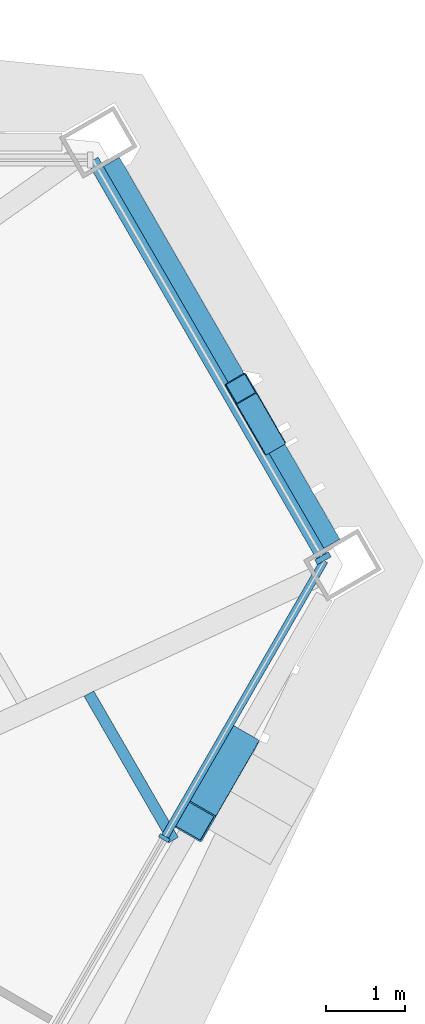
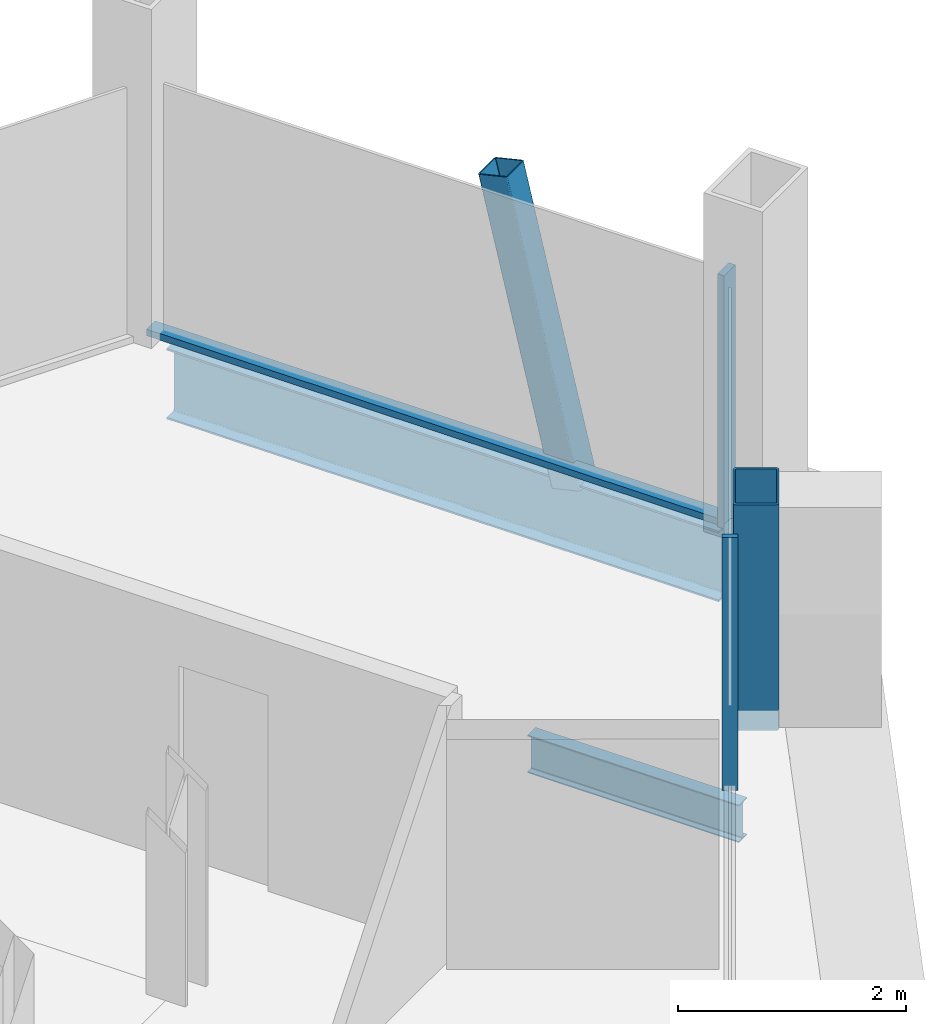
# One storey, part 9 of 16: 6 members, 2 beams, 2 elements without a shape of their own.
"""IFC4 building model written with IfcOpenShell, lengths in metres."""

import ifcopenshell
import ifcopenshell.guid

model = None  # the IFC model being written
_history = None  # IfcOwnerHistory: only IFC2X3 demands one
_inside = {}  # id of a spatial element -> (the spatial element, [elements in it])
_under = {}  # id of a project, library or spatial element -> (it, [spatial elements below it])
_declared = {}  # id of a project -> (the project, [libraries it declares])
_typed = {}  # id of a type object -> (the type object, [elements of that type])
_made_of = {}  # id of a material, layer set ... -> (it, [elements and type objects made of it])


def new_model(schema):
    """Start an empty IFC model of exactly this schema.

    Asked for "IFC4X3", IfcOpenShell would pick the latest addendum, in which some entities
    have other attributes; the version numbers below select the first issue.
    IFC2X3 requires an IfcOwnerHistory on every rooted entity: one is made here for all.
    """
    global model, _history
    if schema == "IFC4X3":
        model = ifcopenshell.file(schema_version=(4, 3, 0, 0))
    else:
        model = ifcopenshell.file(schema=schema)
    _inside.clear()
    _under.clear()
    _declared.clear()
    _typed.clear()
    _made_of.clear()
    _history = None
    if model.schema == "IFC2X3":
        org = make("IfcOrganization", Name="unknown")
        user = make(
            "IfcPersonAndOrganization",
            ThePerson=make("IfcPerson", FamilyName="unknown"),
            TheOrganization=org,
        )
        app = make(
            "IfcApplication",
            ApplicationDeveloper=org,
            Version="unknown",
            ApplicationFullName="unknown",
            ApplicationIdentifier="unknown",
        )
        _history = make(
            "IfcOwnerHistory",
            OwningUser=user,
            OwningApplication=app,
            ChangeAction="ADDED",
            CreationDate=0,
        )
    return model


def make(cls, **values):
    """One entity of the class cls with the attributes given. An attribute that is None is left unset."""
    return model.create_entity(
        cls, **{name: value for name, value in values.items() if value is not None}
    )


def rooted(cls, **values):
    """An entity with a GlobalId (a new one), such as an element, a storey or a relation."""
    return make(cls, GlobalId=ifcopenshell.guid.new(), OwnerHistory=_history, **values)


def si_unit(unit_type, name, prefix=None):
    """IfcSIUnit, for example si_unit("LENGTHUNIT", "METRE", prefix="MILLI")."""
    return make("IfcSIUnit", UnitType=unit_type, Prefix=prefix, Name=name)


def assignment(units):
    """IfcUnitAssignment: the units of a project."""
    return None if units is None else make("IfcUnitAssignment", Units=units)


def point(xyz):
    """IfcCartesianPoint."""
    return None if xyz is None else make("IfcCartesianPoint", Coordinates=xyz)


def direction(xyz):
    """IfcDirection."""
    return None if xyz is None else make("IfcDirection", DirectionRatios=xyz)


def frame(location, z_axis=None, x_axis=None):
    """IfcAxis2Placement3D, a coordinate frame: its origin and axes. An axis left out is left unset."""
    return make(
        "IfcAxis2Placement3D",
        Location=point(location),
        Axis=direction(z_axis),
        RefDirection=direction(x_axis),
    )


def frame_2d(location, x_axis=None):
    """IfcAxis2Placement2D, a coordinate frame in the plane: its origin and x axis."""
    return make(
        "IfcAxis2Placement2D", Location=point(location), RefDirection=direction(x_axis)
    )


def origin():
    """The frame at (0, 0, 0) with its axes left unset."""
    return frame((0.0, 0.0, 0.0))


def origin_2d():
    """The frame at (0, 0) in the plane with its x axis left unset."""
    return frame_2d((0.0, 0.0))


def place(relative_to, where):
    """IfcLocalPlacement: puts the frame where relative to a parent placement (None: the world)."""
    return make(
        "IfcLocalPlacement", PlacementRelTo=relative_to, RelativePlacement=where
    )


def context(
    kind, dimensions, precision=None, world=None, true_north=None, identifier=None
):
    """IfcGeometricRepresentationContext, for example the 3D "Model" context."""
    return make(
        "IfcGeometricRepresentationContext",
        ContextIdentifier=identifier,
        ContextType=kind,
        CoordinateSpaceDimension=dimensions,
        Precision=precision,
        WorldCoordinateSystem=world,
        TrueNorth=true_north,
    )


def subcontext(parent, identifier, kind, view, scale=None):
    """IfcGeometricRepresentationSubContext, for example "Body" below "Model"."""
    return make(
        "IfcGeometricRepresentationSubContext",
        ContextIdentifier=identifier,
        ContextType=kind,
        ParentContext=parent,
        TargetScale=scale,
        TargetView=view,
    )


def project(units=None, contexts=None):
    """IfcProject with its units and contexts."""
    return rooted(
        "IfcProject",
        Name="project",
        RepresentationContexts=contexts,
        UnitsInContext=assignment(units),
    )


def spatial(cls, under=None, at=None, **own):
    """A site, building, storey or space (cls), placed at a placement, below another one or the project."""
    s = rooted(cls, ObjectPlacement=at, **own)
    if under is not None:
        _under.setdefault(under.id(), (under, []))[1].append(s)
    return s


def profile(cls, at=None, kind="AREA", **sizes):
    """A parametric profile (cls). Its sizes go by their IFC names, for example OverallWidth=200.0."""
    return make(cls, ProfileType=kind, Position=at, **sizes)


def rectangle(**sizes):
    """IfcRectangleProfileDef."""
    return profile("IfcRectangleProfileDef", **sizes)


def hollow_rectangle(**sizes):
    """IfcRectangleHollowProfileDef."""
    return profile("IfcRectangleHollowProfileDef", **sizes)


def i_section(**sizes):
    """IfcIShapeProfileDef."""
    return profile("IfcIShapeProfileDef", **sizes)


def extrude(swept, where, along, depth):
    """IfcExtrudedAreaSolid: the profile swept, set in the frame where, extruded along a direction by depth."""
    return make(
        "IfcExtrudedAreaSolid",
        SweptArea=swept,
        Position=where,
        ExtrudedDirection=direction(along),
        Depth=depth,
    )


def shape(context_of_items, identifier, shape_type, items):
    """IfcShapeRepresentation: the items that make up one representation, for example the "Body"."""
    return make(
        "IfcShapeRepresentation",
        ContextOfItems=context_of_items,
        RepresentationIdentifier=identifier,
        RepresentationType=shape_type,
        Items=items,
    )


def material(Name=None, Category=None):
    """IfcMaterial."""
    return make("IfcMaterial", Name=Name, Category=Category)


def material_profile(
    of_material, cross_section, Name=None, Category=None, Priority=None
):
    """IfcMaterialProfile: a cross section and its material."""
    return make(
        "IfcMaterialProfile",
        Name=Name,
        Material=of_material,
        Profile=cross_section,
        Priority=Priority,
        Category=Category,
    )


def profile_set(profiles, Name=None, composite=None):
    """IfcMaterialProfileSet."""
    return make(
        "IfcMaterialProfileSet",
        Name=Name,
        MaterialProfiles=profiles,
        CompositeProfile=composite,
    )


def made_of(thing, what):
    """Note that an element or type object is made of a material, layer set ...; save() writes the relation."""
    if what is not None:
        _made_of.setdefault(what.id(), (what, []))[1].append(thing)
    return thing


def type_object(cls, material=None, **own):
    """A type object (cls), such as IfcWallType, which elements share."""
    return made_of(rooted(cls, **own), material)


def element(
    cls,
    number,
    at=None,
    inside=None,
    cuts=None,
    type_object=None,
    material=None,
    context=None,
    identifier="Body",
    shape_type=None,
    held_by="IfcProductDefinitionShape",
    body=None,
    shapes=None,
    **own,
):
    """One element of the class cls, such as IfcWall. Its Tag is "e" and its number.

    at: its placement. inside: the storey or other place that contains it. cuts: it is an
    opening in that element (IfcRelVoidsElement). A single representation is given by context,
    identifier, shape_type and body (its items); several are given by shapes. held_by: the class
    of the entity that holds the representations. save() writes the other relations.
    """
    e = rooted(cls, Tag="e%d" % number, ObjectPlacement=at, **own)
    if body is not None:
        shapes = [shape(context, identifier, shape_type, body)]
    if shapes is not None:
        e.Representation = make(held_by, Representations=shapes)
    if inside is not None:
        _inside.setdefault(inside.id(), (inside, []))[1].append(e)
    if cuts is not None:
        rooted(
            "IfcRelVoidsElement", RelatingBuildingElement=cuts, RelatedOpeningElement=e
        )
    if type_object is not None:
        _typed.setdefault(type_object.id(), (type_object, []))[1].append(e)
    return made_of(e, material)


def aggregate(whole, parts):
    """IfcRelAggregates: a whole, such as a stair, and the parts it consists of."""
    return rooted("IfcRelAggregates", RelatingObject=whole, RelatedObjects=parts)


def save(model, path):
    """Write the relations noted so far, then the file.

    IfcRelAggregates (storeys below a building ...), IfcRelContainedInSpatialStructure (elements
    in a storey), IfcRelDefinesByType, IfcRelAssociatesMaterial and IfcRelDeclares: one each for
    every whole, place, type object, material and project.
    """
    for whole, parts in _under.values():
        aggregate(whole, parts)
    for where, things in _inside.values():
        rooted(
            "IfcRelContainedInSpatialStructure",
            RelatedElements=things,
            RelatingStructure=where,
        )
    for kind, things in _typed.values():
        rooted("IfcRelDefinesByType", RelatedObjects=things, RelatingType=kind)
    for what, things in _made_of.values():
        rooted("IfcRelAssociatesMaterial", RelatedObjects=things, RelatingMaterial=what)
    for by, libraries in _declared.values():
        rooted("IfcRelDeclares", RelatingContext=by, RelatedDefinitions=libraries)
    model.write(path)


model = new_model("IFC4")

# Units and contexts
model_context = context("Model", 3, precision=1e-05, world=origin(), true_north=direction((0.0, 1.0)))
body_context = subcontext(model_context, "Body", "Model", "MODEL_VIEW")
ifc_project = project(units=[si_unit("LENGTHUNIT", "METRE"), si_unit("AREAUNIT", "SQUARE_METRE"), si_unit("VOLUMEUNIT", "CUBIC_METRE"), si_unit("PLANEANGLEUNIT", "RADIAN"), si_unit("MASSUNIT", "GRAM", prefix="KILO")], contexts=[model_context])

# Site, building, storey
site_placement = place(None, origin())
site = spatial("IfcSite", under=ifc_project, at=site_placement, CompositionType="ELEMENT")
building_placement = place(site_placement, origin())
building = spatial("IfcBuilding", under=site, at=building_placement, Name="Verrane Prism Tower", CompositionType="ELEMENT")
storey_placement = place(building_placement, frame((0.0, 0.0, 239.699951171875)))
storey = spatial("IfcBuildingStorey", under=building, at=storey_placement, Name="L60", CompositionType="ELEMENT", Elevation=239.699951171875)

# Member
ifc_material_1 = material(Name="Steel A500 Grade C", Category="steel")
ifc_material_profile_1 = material_profile(ifc_material_1, hollow_rectangle(XDim=0.3046875, YDim=0.3046875, WallThickness=0.0126953125, InnerFilletRadius=0.00634765625, OuterFilletRadius=0.01904296875, at=origin_2d()), Name="HSS12x12x1/2")
ifc_profile_set_1 = profile_set([ifc_material_profile_1], Name="Steel A500 Grade C")
member_type_1 = type_object("IfcMemberType", Name="Chamfer brace HSS12x12x1/2", PredefinedType="BRACE", material=ifc_profile_set_1)
member_1_placement = place(storey_placement, frame((24.60888671875, 12.755615234375, -0.242431640625), z_axis=(-0.116417129908, 0.201667469132, 0.972510814211), x_axis=(-0.866054481515, -0.499949632511, 0.0)))
element("IfcMember", 1, at=member_1_placement, inside=storey, type_object=member_type_1, Name="Chamfer brace NE0 L60", PredefinedType="BRACE", context=body_context, shape_type="SweptSolid", body=[
    extrude(hollow_rectangle(XDim=0.3046875, YDim=0.3046875, WallThickness=0.0126953125, InnerFilletRadius=0.00634765625, OuterFilletRadius=0.01904296875, at=origin_2d()), origin(), (0.0, 0.0, 1.0), 3.196044921875),
])

# Beam
ifc_material_2 = material(Name="Steel A992", Category="steel")
ifc_material_profile_2 = material_profile(ifc_material_2, i_section(OverallWidth=0.2666015625, OverallDepth=0.7568359375, WebThickness=0.013916015625, FlangeThickness=0.019287109375, FilletRadius=0.0166015625, at=origin_2d()), Name="W30x108")
ifc_profile_set_2 = profile_set([ifc_material_profile_2], Name="Steel A992")
beam_type_1 = type_object("IfcBeamType", Name="Chamfer spandrel beam W30x108", PredefinedType="SPANDREL", material=ifc_profile_set_2)
beam_1_placement = place(storey_placement, frame((25.3798828125, 11.419921875, -0.538330078125), z_axis=(-0.499927487467, 0.866067264868, 0.0), x_axis=(-0.866067264868, -0.499927487467, 0.0)))
element("IfcBeam", 2, at=beam_1_placement, inside=storey, type_object=beam_type_1, Name="Chamfer spandrel beam L60", PredefinedType="SPANDREL", context=body_context, shape_type="SweptSolid", body=[
    extrude(i_section(OverallWidth=0.2666015625, OverallDepth=0.7568359375, WebThickness=0.013916015625, FlangeThickness=0.019287109375, FilletRadius=0.0166015625, at=origin_2d()), origin(), (0.0, 0.0, 1.0), 5.600341796875),
])

# Member
ifc_material_3 = material(Name="Steel A500 Grade C", Category="steel")
ifc_material_profile_3 = material_profile(ifc_material_3, hollow_rectangle(XDim=0.406494140625, YDim=0.406494140625, WallThickness=0.01904296875, InnerFilletRadius=0.009521484375, OuterFilletRadius=0.028564453125, at=origin_2d()), Name="HSS16x16x3/4")
ifc_profile_set_3 = profile_set([ifc_material_profile_3], Name="Steel A500 Grade C")
member_type_2 = type_object("IfcMemberType", Name="Facade brace HSS16x16x3/4", PredefinedType="BRACE", material=ifc_profile_set_3)
member_2_placement = place(storey_placement, frame((24.206298828125, 8.864501953125, -0.216552734375), z_axis=(-0.163420276173, -0.283531291876, 0.94493588135), x_axis=(0.866391147706, -0.499365977191, 0.0)))
element("IfcMember", 3, at=member_2_placement, inside=storey, type_object=member_type_2, Name="Facade brace SE4 L60", PredefinedType="BRACE", context=body_context, shape_type="SweptSolid", body=[
    extrude(hollow_rectangle(XDim=0.406494140625, YDim=0.406494140625, WallThickness=0.01904296875, InnerFilletRadius=0.009521484375, OuterFilletRadius=0.028564453125, at=origin_2d()), origin(), (0.0, 0.0, 1.0), 3.38232421875),
])

# Beam
ifc_material_4 = material(Name="Steel A992", Category="steel")
ifc_material_profile_4 = material_profile(ifc_material_4, i_section(OverallWidth=0.140380859375, OverallDepth=0.40380859375, WebThickness=0.007080078125, FlangeThickness=0.01123046875, FilletRadius=0.01025390625, at=origin_2d()), Name="W16x31")
ifc_profile_set_4 = profile_set([ifc_material_profile_4], Name="Steel A992")
beam_type_2 = type_object("IfcBeamType", Name="Floor beam W16x31", PredefinedType="BEAM", material=ifc_profile_set_4)
beam_2_placement = place(storey_placement, frame((23.382568359375, 7.66552734375, -0.36181640625), z_axis=(-0.500027542156, 0.866009501729, 0.0), x_axis=(-0.866009501729, -0.500027542156, 0.0)))
element("IfcBeam", 4, at=beam_2_placement, inside=storey, type_object=beam_type_2, Name="Floor beam L60", PredefinedType="BEAM", context=body_context, shape_type="SweptSolid", body=[
    extrude(i_section(OverallWidth=0.140380859375, OverallDepth=0.40380859375, WebThickness=0.007080078125, FlangeThickness=0.01123046875, FilletRadius=0.01025390625, at=origin_2d()), origin(), (0.0, 0.0, 1.0), 2.1474609375),
])

# Curtain wall, member
ifc_material_5 = material(Name="Aluminium framed insulated glazing", Category="aluminium")
curtain_wall_type_1 = type_object("IfcCurtainWallType", Name="Curtain wall CW-C 4200 module", PredefinedType="NOTDEFINED", material=ifc_material_5)
curtain_wall_1_placement = place(storey_placement, origin())
curtain_wall_1 = element("IfcCurtainWall", 5, at=curtain_wall_1_placement, inside=storey, type_object=curtain_wall_type_1, Name="Glazed curtain wall south-east face L60", PredefinedType="NOTDEFINED")
ifc_material_6 = material(Name="Aluminium alloy 6063-T6", Category="aluminium")
ifc_material_profile_5 = material_profile(ifc_material_6, rectangle(XDim=0.139892578125, YDim=0.050048828125, at=origin_2d()), Name="Mullion 50x140 aluminium")
ifc_profile_set_5 = profile_set([ifc_material_profile_5], Name="Aluminium alloy 6063-T6")
member_type_3 = type_object("IfcMemberType", Name="Mullion 50x140 aluminium", PredefinedType="MULLION", material=ifc_profile_set_5)
member_3_placement = place(storey_placement, frame((23.264892578125, 7.6923828125, 0.0), z_axis=(0.0, 0.0, 1.0), x_axis=(-0.866025759098, 0.499999384578, 0.0)))
member_3 = element("IfcMember", 6, at=member_3_placement, type_object=member_type_3, Name="CW59.6 mullion 11", PredefinedType="MULLION", context=body_context, shape_type="SweptSolid", body=[
    extrude(rectangle(XDim=0.139892578125, YDim=0.050048828125, at=origin_2d()), origin(), (0.0, 0.0, 1.0), 2.712890625),
])

ifc_material_7 = material(Name="Aluminium framed insulated glazing", Category="aluminium")
curtain_wall_type_2 = type_object("IfcCurtainWallType", Name="Curtain wall CW-A 8400 module", PredefinedType="NOTDEFINED", material=ifc_material_7)
curtain_wall_2_placement = place(storey_placement, origin())
curtain_wall_2 = element("IfcCurtainWall", 7, at=curtain_wall_2_placement, inside=storey, type_object=curtain_wall_type_2, Name="Glazed curtain wall north-east corner L60", PredefinedType="NOTDEFINED")
ifc_material_8 = material(Name="Aluminium alloy 6063-T6", Category="aluminium")
ifc_material_profile_6 = material_profile(ifc_material_8, rectangle(XDim=0.199951171875, YDim=0.070068359375, at=origin_2d()), Name="Mullion 70x200 aluminium")
ifc_profile_set_6 = profile_set([ifc_material_profile_6], Name="Aluminium alloy 6063-T6")
member_type_4 = type_object("IfcMemberType", Name="Mullion 70x200 aluminium", PredefinedType="MULLION", material=ifc_profile_set_6)
member_4_placement = place(storey_placement, frame((25.280029296875, 11.243408203125, 0.0), z_axis=(0.0, 0.0, 1.0), x_axis=(-0.866025741287, -0.499999415427, 0.0)))
member_4 = element("IfcMember", 8, at=member_4_placement, type_object=member_type_4, Name="CW59.1 mullion 1", PredefinedType="MULLION", context=body_context, shape_type="SweptSolid", body=[
    extrude(rectangle(XDim=0.199951171875, YDim=0.070068359375, at=origin_2d()), origin(), (0.0, 0.0, 1.0), 2.712890625),
])

# Member
ifc_material_9 = material(Name="Aluminium alloy 6063-T6", Category="aluminium")
ifc_material_profile_7 = material_profile(ifc_material_9, rectangle(XDim=0.10009765625, YDim=0.050048828125, at=origin_2d()), Name="Transom 50x100 aluminium")
ifc_profile_set_7 = profile_set([ifc_material_profile_7], Name="Aluminium alloy 6063-T6")
member_type_5 = type_object("IfcMemberType", Name="Transom 50x100 aluminium", PredefinedType="USERDEFINED", material=ifc_profile_set_7)
member_5_placement = place(storey_placement, frame((23.27734375, 7.714111328125, 0.025146484375), z_axis=(0.500018849926, 0.866014520501, 0.0), x_axis=(-0.866014520501, 0.500018849926, 0.0)))
member_5 = element("IfcMember", 9, at=member_5_placement, type_object=member_type_5, Name="CW59.6 transom 11", ObjectType="TRANSOM", PredefinedType="USERDEFINED", context=body_context, shape_type="SweptSolid", body=[
    extrude(rectangle(XDim=0.10009765625, YDim=0.050048828125, at=origin_2d()), origin(), (0.0, 0.0, 1.0), 4.040283203125),
])

aggregate(curtain_wall_1, [member_3, member_5])

ifc_material_10 = material(Name="Aluminium alloy 6063-T6", Category="aluminium")
ifc_material_profile_8 = material_profile(ifc_material_10, rectangle(XDim=0.14990234375, YDim=0.070068359375, at=origin_2d()), Name="Transom 70x150 aluminium")
ifc_profile_set_8 = profile_set([ifc_material_profile_8], Name="Aluminium alloy 6063-T6")
member_type_6 = type_object("IfcMemberType", Name="Transom 70x150 aluminium", PredefinedType="USERDEFINED", material=ifc_profile_set_8)
member_6_placement = place(storey_placement, frame((25.2626953125, 11.27392578125, 0.03515625), z_axis=(-0.500033069573, 0.866006310216, 0.0), x_axis=(-0.866006310216, -0.500033069573, 0.0)))
member_6 = element("IfcMember", 10, at=member_6_placement, type_object=member_type_6, Name="CW59.1 transom 1", ObjectType="TRANSOM", PredefinedType="USERDEFINED", context=body_context, shape_type="SweptSolid", body=[
    extrude(rectangle(XDim=0.14990234375, YDim=0.070068359375, at=origin_2d()), origin(), (0.0, 0.0, 1.0), 5.8056640625),
])

aggregate(curtain_wall_2, [member_4, member_6])

save(model, "model.ifc")
